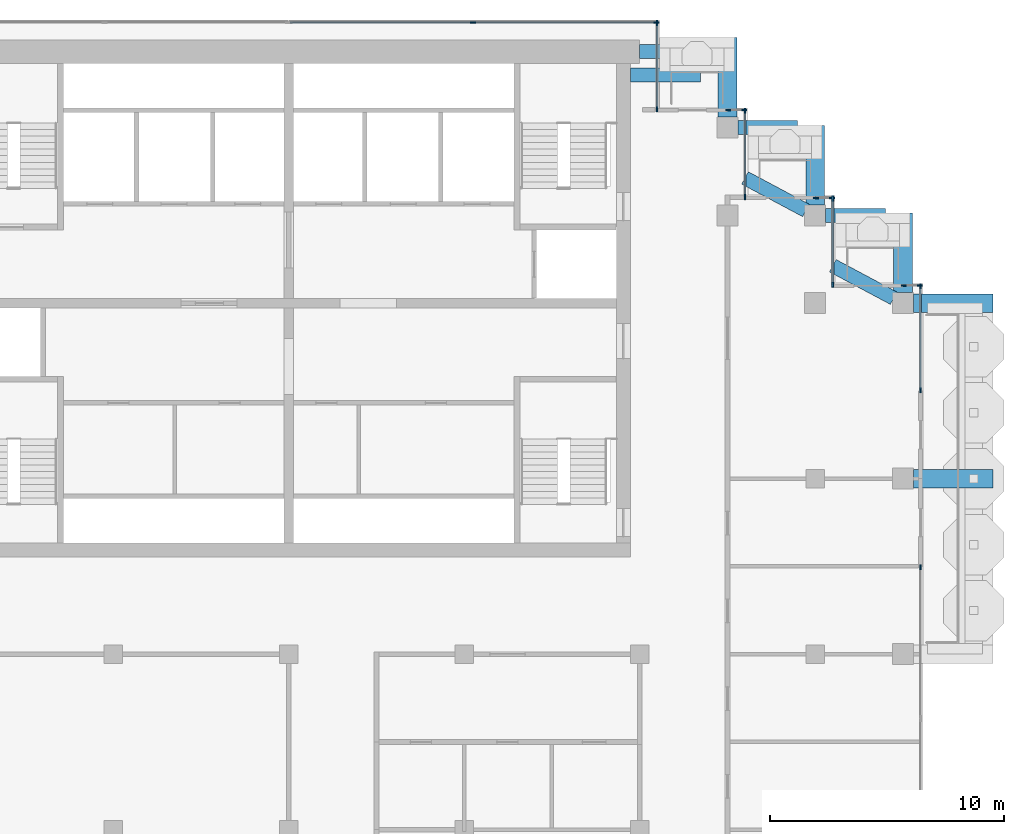
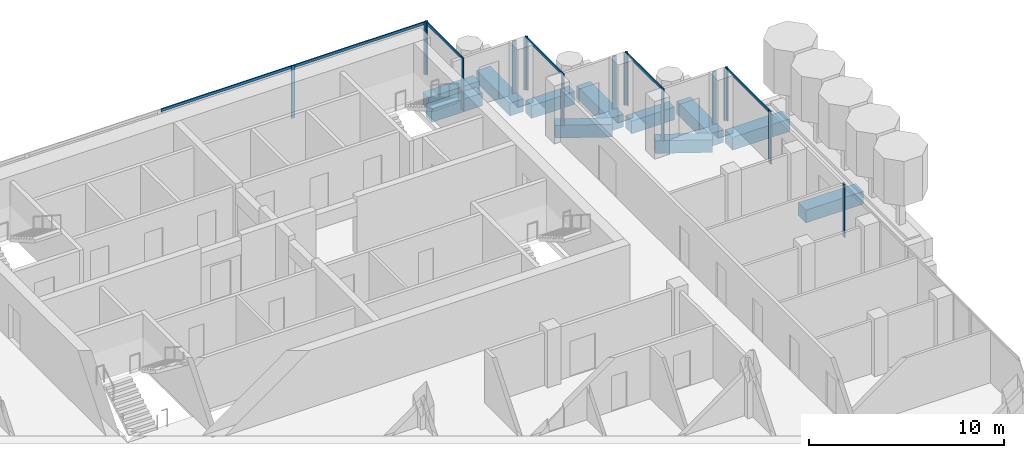
# One storey, part 6 of 19: 23 members, 11 beams, 9 elements without a shape of their own.
"""IFC4 building model written with IfcOpenShell, lengths in metres."""

from ifc_helpers import new_model, si_unit, direction, frame, origin, origin_2d, place, context, subcontext, project, spatial, rectangle, extrude, material, material_profile, profile_set, type_object, element, aggregate, save


model = new_model("IFC4")

# Units and contexts
model_context = context("Model", 3, precision=1e-05, world=origin(), true_north=direction((0.0, 1.0)))
body_context = subcontext(model_context, "Body", "Model", "MODEL_VIEW")
ifc_project = project(units=[si_unit("LENGTHUNIT", "METRE"), si_unit("AREAUNIT", "SQUARE_METRE"), si_unit("VOLUMEUNIT", "CUBIC_METRE"), si_unit("PLANEANGLEUNIT", "RADIAN"), si_unit("MASSUNIT", "GRAM", prefix="KILO")], contexts=[model_context])

# Site, building, storey
site_placement = place(None, origin())
site = spatial("IfcSite", under=ifc_project, at=site_placement, CompositionType="ELEMENT")
building_placement = place(site_placement, origin())
building = spatial("IfcBuilding", under=site, at=building_placement, Name="Pilkhan Gate Tower", CompositionType="ELEMENT")
storey_placement = place(building_placement, frame((0.0, 0.0, 239.10009765625)))
storey = spatial("IfcBuildingStorey", under=building, at=storey_placement, Name="L62", CompositionType="ELEMENT", Elevation=239.10009765625)

# Beams
ifc_material_1 = material(Name="Concrete C50/60", Category="concrete")
ifc_material_profile_1 = material_profile(ifc_material_1, rectangle(XDim=0.60009765625, YDim=0.800048828125, at=origin_2d()), Name="RC 600x800")
ifc_profile_set_1 = profile_set([ifc_material_profile_1], Name="Concrete C50/60")
beam_type_1 = type_object("IfcBeamType", Name="Cantilever beam CB1 RC 600x800 C50/60", PredefinedType="BEAM", material=ifc_profile_set_1)
for number, where, z_axis, x_axis, name in (
    (1, (90.0, 93.25, -0.7001953125), (1.0, 0.0, 0.0), (0.0, 1.0, 0.0), "Balcony beam NE.2 L62"),
    (2, (89.60009765625, 92.25, -0.7001953125), (1.0, 0.0, 0.0), (0.0, 1.0, 0.0), "Balcony beam NE.3 L62"),
):
    element("IfcBeam", number, at=place(storey_placement, frame(where, z_axis=z_axis, x_axis=x_axis)), inside=storey, type_object=beam_type_1, Name=name, PredefinedType="BEAM", context=body_context, shape_type="SweptSolid", body=[
        extrude(rectangle(XDim=0.60009765625, YDim=0.800048828125, at=origin_2d()), origin(), (0.0, 0.0, 1.0), 3.0),
    ])
beam_1_placement = place(storey_placement, frame((94.199951171875, 90.0, -0.7001953125), z_axis=(1.0, 0.0, 0.0), x_axis=(0.0, 1.0, 0.0)))
element("IfcBeam", 3, at=beam_1_placement, inside=storey, type_object=beam_type_1, Name="Balcony beam NE1.2 L62", PredefinedType="BEAM", context=body_context, shape_type="SweptSolid", body=[
    extrude(rectangle(XDim=0.60009765625, YDim=0.800048828125, at=origin_2d()), origin(), (0.0, 0.0, 1.0), 2.550048828125),
])
beam_2_placement = place(storey_placement, frame((97.10302734375, 86.461669921875, -0.7001953125), z_axis=(-0.882332323202, 0.470626891957, 0.0), x_axis=(-0.470626891957, -0.882332323202, 0.0)))
element("IfcBeam", 4, at=beam_2_placement, inside=storey, type_object=beam_type_1, Name="Balcony beam NE1.3 L62", PredefinedType="BEAM", context=body_context, shape_type="SweptSolid", body=[
    extrude(rectangle(XDim=0.60009765625, YDim=0.800048828125, at=origin_2d()), origin(), (0.0, 0.0, 1.0), 2.9501953125),
])
beam_3_placement = place(storey_placement, frame((97.949951171875, 86.25, -0.7001953125), z_axis=(1.0, 0.0, 0.0), x_axis=(0.0, 1.0, 0.0)))
element("IfcBeam", 5, at=beam_3_placement, inside=storey, type_object=beam_type_1, Name="Balcony beam NE2.2 L62", PredefinedType="BEAM", context=body_context, shape_type="SweptSolid", body=[
    extrude(rectangle(XDim=0.60009765625, YDim=0.800048828125, at=origin_2d()), origin(), (0.0, 0.0, 1.0), 2.550048828125),
])
beam_4_placement = place(storey_placement, frame((100.85302734375, 82.711669921875, -0.7001953125), z_axis=(-0.882332323202, 0.470626891957, 0.0), x_axis=(-0.470626891957, -0.882332323202, 0.0)))
element("IfcBeam", 6, at=beam_4_placement, inside=storey, type_object=beam_type_1, Name="Balcony beam NE2.3 L62", PredefinedType="BEAM", context=body_context, shape_type="SweptSolid", body=[
    extrude(rectangle(XDim=0.60009765625, YDim=0.800048828125, at=origin_2d()), origin(), (0.0, 0.0, 1.0), 2.9501953125),
])
ifc_material_profile_2 = material_profile(ifc_material_1, rectangle(XDim=0.800048828125, YDim=0.800048828125, at=origin_2d()), Name="RC 800x800")
ifc_profile_set_2 = profile_set([ifc_material_profile_2], Name="Concrete C50/60")
beam_type_2 = type_object("IfcBeamType", Name="Cantilever beam CB2 RC 800x800 C50/60", PredefinedType="BEAM", material=ifc_profile_set_2)
for number, where, z_axis, x_axis, name in (
    (7, (101.699951171875, 75.0, -0.7001953125), (1.0, 0.0, 0.0), (0.0, 1.0, 0.0), "Balcony beam E.2 L62"),
    (8, (101.699951171875, 82.5, -0.7001953125), (1.0, 0.0, 0.0), (0.0, 1.0, 0.0), "Balcony beam E.3 L62"),
    (9, (93.75, 90.449951171875, -0.7001953125), (0.0, 1.0, 0.0), (-1.0, 0.0, 0.0), "Balcony beam NE.1 L62"),
    (10, (97.5, 86.699951171875, -0.7001953125), (0.0, 1.0, 0.0), (-1.0, 0.0, 0.0), "Balcony beam NE1.1 L62"),
    (11, (101.25, 82.949951171875, -0.7001953125), (0.0, 1.0, 0.0), (-1.0, 0.0, 0.0), "Balcony beam NE2.1 L62"),
):
    element("IfcBeam", number, at=place(storey_placement, frame(where, z_axis=z_axis, x_axis=x_axis)), inside=storey, type_object=beam_type_2, Name=name, PredefinedType="BEAM", context=body_context, shape_type="SweptSolid", body=[
        extrude(rectangle(XDim=0.800048828125, YDim=0.800048828125, at=origin_2d()), origin(), (0.0, 0.0, 1.0), 3.400146484375),
    ])

# Curtain wall, member
ifc_material_2 = material(Name="Pale anodised aluminium, clear low-iron double glazing", Category="aluminium")
curtain_wall_type = type_object("IfcCurtainWallType", Name="Office unitised curtain wall CW-O2", PredefinedType="USERDEFINED", material=ifc_material_2)
curtain_wall_1_placement = place(storey_placement, origin())
curtain_wall_1 = element("IfcCurtainWall", 12, at=curtain_wall_1_placement, inside=storey, type_object=curtain_wall_type, Name="Office unitised curtain wall CW-O2 L62 E", ObjectType="UNITISED CURTAIN WALL", PredefinedType="USERDEFINED")
ifc_material_3 = material(Name="Pale anodised aluminium", Category="aluminium")
ifc_material_profile_3 = material_profile(ifc_material_3, rectangle(XDim=0.06494140625, YDim=0.22509765625, at=origin_2d()), Name="Mullion 225x65")
ifc_profile_set_3 = profile_set([ifc_material_profile_3], Name="Pale anodised aluminium")
member_type_1 = type_object("IfcMemberType", Name="Mullion CW-O2 225x65", PredefinedType="MULLION", material=ifc_profile_set_3)
member_1_placement = place(storey_placement, frame((102.0, 71.217529296875, 0.0), z_axis=(0.0, 0.0, 1.0), x_axis=(-1.0, 0.0, 0.0)))
member_1 = element("IfcMember", 13, at=member_1_placement, type_object=member_type_1, Name="CW-O2 mullion 2", PredefinedType="MULLION", context=body_context, shape_type="SweptSolid", body=[
    extrude(rectangle(XDim=0.06494140625, YDim=0.22509765625, at=origin_2d()), origin(), (0.0, 0.0, 1.0), 3.2998046875),
])
aggregate(curtain_wall_1, [member_1])

# Curtain wall, members
curtain_wall_2_placement = place(storey_placement, origin())
curtain_wall_2 = element("IfcCurtainWall", 14, at=curtain_wall_2_placement, inside=storey, type_object=curtain_wall_type, Name="Office unitised curtain wall CW-O2 L62 E", ObjectType="UNITISED CURTAIN WALL", PredefinedType="USERDEFINED")
member_2_placement = place(storey_placement, frame((102.0, 78.782470703125, 0.0), z_axis=(0.0, 0.0, 1.0), x_axis=(-1.0, 0.0, 0.0)))
member_2 = element("IfcMember", 15, at=member_2_placement, type_object=member_type_1, Name="CW-O2 mullion 1", PredefinedType="MULLION", context=body_context, shape_type="SweptSolid", body=[
    extrude(rectangle(XDim=0.06494140625, YDim=0.22509765625, at=origin_2d()), origin(), (0.0, 0.0, 1.0), 3.2998046875),
])
member_3_placement = place(storey_placement, frame((102.0, 83.217529296875, 0.0), z_axis=(0.0, 0.0, 1.0), x_axis=(-1.0, 0.0, 0.0)))
member_3 = element("IfcMember", 16, at=member_3_placement, type_object=member_type_1, Name="CW-O2 mullion 2", PredefinedType="MULLION", context=body_context, shape_type="SweptSolid", body=[
    extrude(rectangle(XDim=0.06494140625, YDim=0.22509765625, at=origin_2d()), origin(), (0.0, 0.0, 1.0), 3.2998046875),
])

curtain_wall_3_placement = place(storey_placement, origin())
curtain_wall_3 = element("IfcCurtainWall", 17, at=curtain_wall_3_placement, inside=storey, type_object=curtain_wall_type, Name="Office unitised curtain wall CW-O2 L62 N", ObjectType="UNITISED CURTAIN WALL", PredefinedType="USERDEFINED")
member_4_placement = place(storey_placement, frame((101.282470703125, 83.25, 0.0), z_axis=(0.0, 0.0, 1.0), x_axis=(0.0, 1.0, 0.0)))
member_4 = element("IfcMember", 18, at=member_4_placement, type_object=member_type_1, Name="CW-O2 mullion 1", PredefinedType="MULLION", context=body_context, shape_type="SweptSolid", body=[
    extrude(rectangle(XDim=0.06494140625, YDim=0.22509765625, at=origin_2d()), origin(), (0.0, 0.0, 1.0), 3.2998046875),
])
member_5_placement = place(storey_placement, frame((101.967529296875, 83.25, 0.0), z_axis=(0.0, 0.0, 1.0), x_axis=(0.0, 1.0, 0.0)))
member_5 = element("IfcMember", 19, at=member_5_placement, type_object=member_type_1, Name="CW-O2 mullion 2", PredefinedType="MULLION", context=body_context, shape_type="SweptSolid", body=[
    extrude(rectangle(XDim=0.06494140625, YDim=0.22509765625, at=origin_2d()), origin(), (0.0, 0.0, 1.0), 3.2998046875),
])
aggregate(curtain_wall_3, [member_4, member_5])

curtain_wall_4_placement = place(storey_placement, origin())
curtain_wall_4 = element("IfcCurtainWall", 20, at=curtain_wall_4_placement, inside=storey, type_object=curtain_wall_type, Name="Office unitised curtain wall CW-O2 L62 E", ObjectType="UNITISED CURTAIN WALL", PredefinedType="USERDEFINED")
member_6_placement = place(storey_placement, frame((98.25, 83.282470703125, 0.0), z_axis=(0.0, 0.0, 1.0), x_axis=(-1.0, 0.0, 0.0)))
member_6 = element("IfcMember", 21, at=member_6_placement, type_object=member_type_1, Name="CW-O2 mullion 1", PredefinedType="MULLION", context=body_context, shape_type="SweptSolid", body=[
    extrude(rectangle(XDim=0.06494140625, YDim=0.22509765625, at=origin_2d()), origin(), (0.0, 0.0, 1.0), 3.2998046875),
])
member_7_placement = place(storey_placement, frame((98.25, 86.967529296875, 0.0), z_axis=(0.0, 0.0, 1.0), x_axis=(-1.0, 0.0, 0.0)))
member_7 = element("IfcMember", 22, at=member_7_placement, type_object=member_type_1, Name="CW-O2 mullion 2", PredefinedType="MULLION", context=body_context, shape_type="SweptSolid", body=[
    extrude(rectangle(XDim=0.06494140625, YDim=0.22509765625, at=origin_2d()), origin(), (0.0, 0.0, 1.0), 3.2998046875),
])

curtain_wall_5_placement = place(storey_placement, origin())
curtain_wall_5 = element("IfcCurtainWall", 23, at=curtain_wall_5_placement, inside=storey, type_object=curtain_wall_type, Name="Office unitised curtain wall CW-O2 L62 N", ObjectType="UNITISED CURTAIN WALL", PredefinedType="USERDEFINED")
member_8_placement = place(storey_placement, frame((97.532470703125, 87.0, 0.0), z_axis=(0.0, 0.0, 1.0), x_axis=(0.0, 1.0, 0.0)))
member_8 = element("IfcMember", 24, at=member_8_placement, type_object=member_type_1, Name="CW-O2 mullion 1", PredefinedType="MULLION", context=body_context, shape_type="SweptSolid", body=[
    extrude(rectangle(XDim=0.06494140625, YDim=0.22509765625, at=origin_2d()), origin(), (0.0, 0.0, 1.0), 3.2998046875),
])
member_9_placement = place(storey_placement, frame((98.217529296875, 87.0, 0.0), z_axis=(0.0, 0.0, 1.0), x_axis=(0.0, 1.0, 0.0)))
member_9 = element("IfcMember", 25, at=member_9_placement, type_object=member_type_1, Name="CW-O2 mullion 2", PredefinedType="MULLION", context=body_context, shape_type="SweptSolid", body=[
    extrude(rectangle(XDim=0.06494140625, YDim=0.22509765625, at=origin_2d()), origin(), (0.0, 0.0, 1.0), 3.2998046875),
])
aggregate(curtain_wall_5, [member_8, member_9])

curtain_wall_6_placement = place(storey_placement, origin())
curtain_wall_6 = element("IfcCurtainWall", 26, at=curtain_wall_6_placement, inside=storey, type_object=curtain_wall_type, Name="Office unitised curtain wall CW-O2 L62 E", ObjectType="UNITISED CURTAIN WALL", PredefinedType="USERDEFINED")
member_10_placement = place(storey_placement, frame((94.5, 87.032470703125, 0.0), z_axis=(0.0, 0.0, 1.0), x_axis=(-1.0, 0.0, 0.0)))
member_10 = element("IfcMember", 27, at=member_10_placement, type_object=member_type_1, Name="CW-O2 mullion 1", PredefinedType="MULLION", context=body_context, shape_type="SweptSolid", body=[
    extrude(rectangle(XDim=0.06494140625, YDim=0.22509765625, at=origin_2d()), origin(), (0.0, 0.0, 1.0), 3.2998046875),
])
member_11_placement = place(storey_placement, frame((94.5, 90.717529296875, 0.0), z_axis=(0.0, 0.0, 1.0), x_axis=(-1.0, 0.0, 0.0)))
member_11 = element("IfcMember", 28, at=member_11_placement, type_object=member_type_1, Name="CW-O2 mullion 2", PredefinedType="MULLION", context=body_context, shape_type="SweptSolid", body=[
    extrude(rectangle(XDim=0.06494140625, YDim=0.22509765625, at=origin_2d()), origin(), (0.0, 0.0, 1.0), 3.2998046875),
])

curtain_wall_7_placement = place(storey_placement, origin())
curtain_wall_7 = element("IfcCurtainWall", 29, at=curtain_wall_7_placement, inside=storey, type_object=curtain_wall_type, Name="Office unitised curtain wall CW-O2 L62 N", ObjectType="UNITISED CURTAIN WALL", PredefinedType="USERDEFINED")
member_12_placement = place(storey_placement, frame((93.782470703125, 90.75, 0.0), z_axis=(0.0, 0.0, 1.0), x_axis=(0.0, 1.0, 0.0)))
member_12 = element("IfcMember", 30, at=member_12_placement, type_object=member_type_1, Name="CW-O2 mullion 1", PredefinedType="MULLION", context=body_context, shape_type="SweptSolid", body=[
    extrude(rectangle(XDim=0.06494140625, YDim=0.22509765625, at=origin_2d()), origin(), (0.0, 0.0, 1.0), 3.2998046875),
])
member_13_placement = place(storey_placement, frame((94.467529296875, 90.75, 0.0), z_axis=(0.0, 0.0, 1.0), x_axis=(0.0, 1.0, 0.0)))
member_13 = element("IfcMember", 31, at=member_13_placement, type_object=member_type_1, Name="CW-O2 mullion 2", PredefinedType="MULLION", context=body_context, shape_type="SweptSolid", body=[
    extrude(rectangle(XDim=0.06494140625, YDim=0.22509765625, at=origin_2d()), origin(), (0.0, 0.0, 1.0), 3.2998046875),
])
aggregate(curtain_wall_7, [member_12, member_13])

curtain_wall_8_placement = place(storey_placement, origin())
curtain_wall_8 = element("IfcCurtainWall", 32, at=curtain_wall_8_placement, inside=storey, type_object=curtain_wall_type, Name="Office unitised curtain wall CW-O2 L62 E", ObjectType="UNITISED CURTAIN WALL", PredefinedType="USERDEFINED")
member_14_placement = place(storey_placement, frame((90.75, 90.782470703125, 0.0), z_axis=(0.0, 0.0, 1.0), x_axis=(-1.0, 0.0, 0.0)))
member_14 = element("IfcMember", 33, at=member_14_placement, type_object=member_type_1, Name="CW-O2 mullion 1", PredefinedType="MULLION", context=body_context, shape_type="SweptSolid", body=[
    extrude(rectangle(XDim=0.06494140625, YDim=0.22509765625, at=origin_2d()), origin(), (0.0, 0.0, 1.0), 3.2998046875),
])
member_15_placement = place(storey_placement, frame((90.75, 94.467529296875, 0.0), z_axis=(0.0, 0.0, 1.0), x_axis=(-1.0, 0.0, 0.0)))
member_15 = element("IfcMember", 34, at=member_15_placement, type_object=member_type_1, Name="CW-O2 mullion 2", PredefinedType="MULLION", context=body_context, shape_type="SweptSolid", body=[
    extrude(rectangle(XDim=0.06494140625, YDim=0.22509765625, at=origin_2d()), origin(), (0.0, 0.0, 1.0), 3.2998046875),
])

curtain_wall_9_placement = place(storey_placement, origin())
curtain_wall_9 = element("IfcCurtainWall", 35, at=curtain_wall_9_placement, inside=storey, type_object=curtain_wall_type, Name="Office unitised curtain wall CW-O2 L62 N", ObjectType="UNITISED CURTAIN WALL", PredefinedType="USERDEFINED")
member_16_placement = place(storey_placement, frame((82.875, 94.5, 0.0), z_axis=(0.0, 0.0, 1.0), x_axis=(0.0, 1.0, 0.0)))
member_16 = element("IfcMember", 36, at=member_16_placement, type_object=member_type_1, Name="CW-O2 mullion 2", PredefinedType="MULLION", context=body_context, shape_type="SweptSolid", body=[
    extrude(rectangle(XDim=0.06494140625, YDim=0.22509765625, at=origin_2d()), origin(), (0.0, 0.0, 1.0), 3.2998046875),
])
member_17_placement = place(storey_placement, frame((90.717529296875, 94.5, 0.0), z_axis=(0.0, 0.0, 1.0), x_axis=(0.0, 1.0, 0.0)))
member_17 = element("IfcMember", 37, at=member_17_placement, type_object=member_type_1, Name="CW-O2 mullion 3", PredefinedType="MULLION", context=body_context, shape_type="SweptSolid", body=[
    extrude(rectangle(XDim=0.06494140625, YDim=0.22509765625, at=origin_2d()), origin(), (0.0, 0.0, 1.0), 3.2998046875),
])

# Member
ifc_material_profile_4 = material_profile(ifc_material_3, rectangle(XDim=0.06494140625, YDim=0.1650390625, at=origin_2d()), Name="Transom 165x65")
ifc_profile_set_4 = profile_set([ifc_material_profile_4], Name="Pale anodised aluminium")
member_type_2 = type_object("IfcMemberType", Name="Transom CW-O2 165x65", PredefinedType="USERDEFINED", material=ifc_profile_set_4)
member_18_placement = place(storey_placement, frame((102.0, 78.81494140625, 3.21728515625), z_axis=(0.0, 1.0, 0.0), x_axis=(-1.0, 0.0, 0.0)))
member_18 = element("IfcMember", 38, at=member_18_placement, type_object=member_type_2, Name="CW-O2 transom 1", ObjectType="TRANSOM", PredefinedType="USERDEFINED", context=body_context, shape_type="SweptSolid", body=[
    extrude(rectangle(XDim=0.06494140625, YDim=0.1650390625, at=origin_2d()), origin(), (0.0, 0.0, 1.0), 4.3701171875),
])

aggregate(curtain_wall_2, [member_2, member_3, member_18])

member_19_placement = place(storey_placement, frame((98.25, 83.31494140625, 3.21728515625), z_axis=(0.0, 1.0, 0.0), x_axis=(-1.0, 0.0, 0.0)))
member_19 = element("IfcMember", 39, at=member_19_placement, type_object=member_type_2, Name="CW-O2 transom 1", ObjectType="TRANSOM", PredefinedType="USERDEFINED", context=body_context, shape_type="SweptSolid", body=[
    extrude(rectangle(XDim=0.06494140625, YDim=0.1650390625, at=origin_2d()), origin(), (0.0, 0.0, 1.0), 3.6201171875),
])

aggregate(curtain_wall_4, [member_6, member_7, member_19])

member_20_placement = place(storey_placement, frame((94.5, 87.06494140625, 3.21728515625), z_axis=(0.0, 1.0, 0.0), x_axis=(-1.0, 0.0, 0.0)))
member_20 = element("IfcMember", 40, at=member_20_placement, type_object=member_type_2, Name="CW-O2 transom 1", ObjectType="TRANSOM", PredefinedType="USERDEFINED", context=body_context, shape_type="SweptSolid", body=[
    extrude(rectangle(XDim=0.06494140625, YDim=0.1650390625, at=origin_2d()), origin(), (0.0, 0.0, 1.0), 3.6201171875),
])

aggregate(curtain_wall_6, [member_10, member_11, member_20])

member_21_placement = place(storey_placement, frame((90.75, 90.81494140625, 3.21728515625), z_axis=(0.0, 1.0, 0.0), x_axis=(-1.0, 0.0, 0.0)))
member_21 = element("IfcMember", 41, at=member_21_placement, type_object=member_type_2, Name="CW-O2 transom 1", ObjectType="TRANSOM", PredefinedType="USERDEFINED", context=body_context, shape_type="SweptSolid", body=[
    extrude(rectangle(XDim=0.06494140625, YDim=0.1650390625, at=origin_2d()), origin(), (0.0, 0.0, 1.0), 3.6201171875),
])

aggregate(curtain_wall_8, [member_14, member_15, member_21])

member_22_placement = place(storey_placement, frame((75.06494140625, 94.5, 3.21728515625), z_axis=(1.0, 0.0, 0.0), x_axis=(0.0, 1.0, 0.0)))
member_22 = element("IfcMember", 42, at=member_22_placement, type_object=member_type_2, Name="CW-O2 transom 1", ObjectType="TRANSOM", PredefinedType="USERDEFINED", context=body_context, shape_type="SweptSolid", body=[
    extrude(rectangle(XDim=0.06494140625, YDim=0.1650390625, at=origin_2d()), origin(), (0.0, 0.0, 1.0), 7.777587890625),
])

member_23_placement = place(storey_placement, frame((82.907470703125, 94.5, 3.21728515625), z_axis=(1.0, 0.0, 0.0), x_axis=(0.0, 1.0, 0.0)))
member_23 = element("IfcMember", 43, at=member_23_placement, type_object=member_type_2, Name="CW-O2 transom 2", ObjectType="TRANSOM", PredefinedType="USERDEFINED", context=body_context, shape_type="SweptSolid", body=[
    extrude(rectangle(XDim=0.06494140625, YDim=0.1650390625, at=origin_2d()), origin(), (0.0, 0.0, 1.0), 7.777587890625),
])

aggregate(curtain_wall_9, [member_16, member_17, member_22, member_23])

save(model, "model.ifc")
